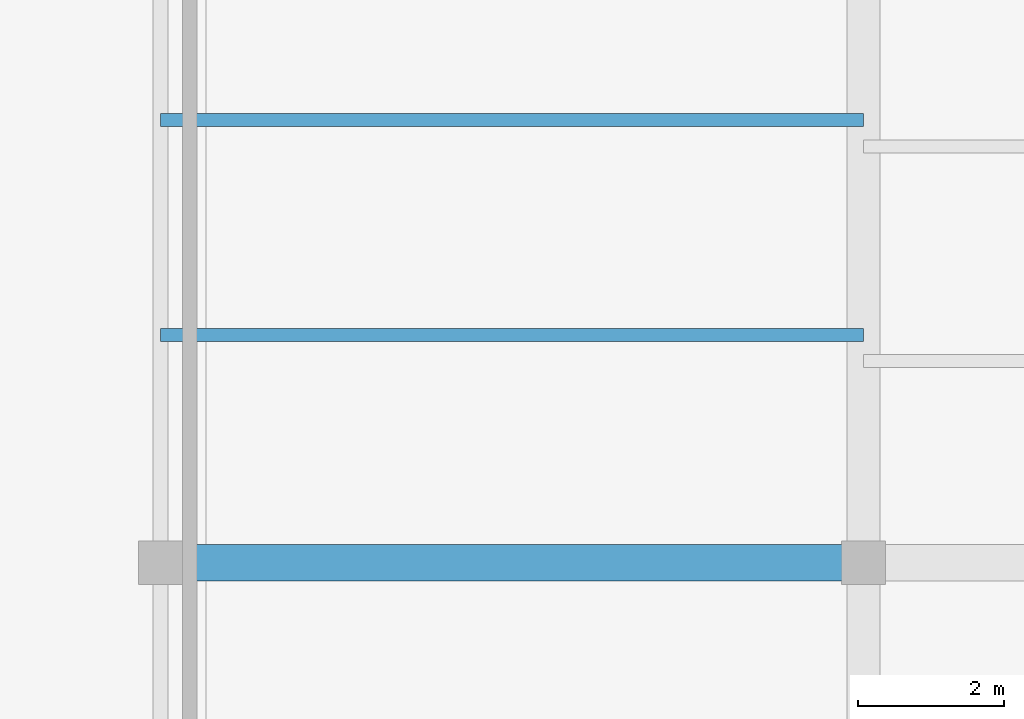
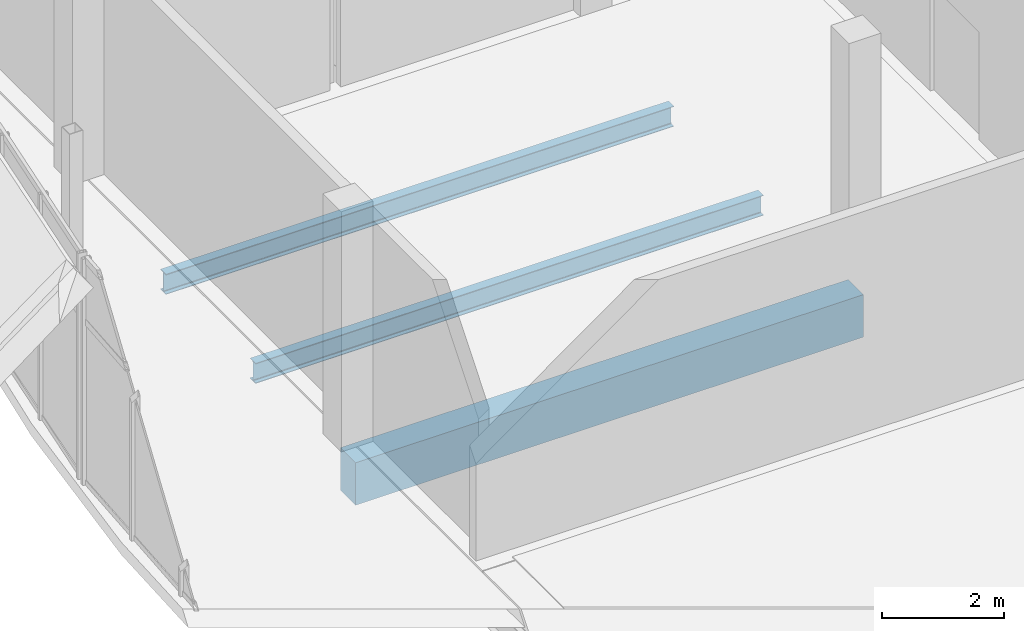
# One storey, part 27 of 116: 3 beams.
"""IFC4 building model written with IfcOpenShell, lengths in metres."""

from ifc_helpers import new_model, si_unit, direction, frame, origin, origin_2d, place, context, subcontext, project, spatial, rectangle, i_section, extrude, material, material_profile, profile_set, type_object, element, save


model = new_model("IFC4")

# Units and contexts
model_context = context("Model", 3, precision=1e-05, world=origin(), true_north=direction((0.0, 1.0)))
body_context = subcontext(model_context, "Body", "Model", "MODEL_VIEW")
ifc_project = project(units=[si_unit("LENGTHUNIT", "METRE"), si_unit("AREAUNIT", "SQUARE_METRE"), si_unit("VOLUMEUNIT", "CUBIC_METRE"), si_unit("PLANEANGLEUNIT", "RADIAN"), si_unit("MASSUNIT", "GRAM", prefix="KILO")], contexts=[model_context])

# Site, building, storey
site_placement = place(None, origin())
site = spatial("IfcSite", under=ifc_project, at=site_placement, CompositionType="ELEMENT")
building_placement = place(site_placement, origin())
building = spatial("IfcBuilding", under=site, at=building_placement, Name="Chalmorin Arch Market", CompositionType="ELEMENT")
storey_placement = place(building_placement, origin())
storey = spatial("IfcBuildingStorey", under=building, at=storey_placement, Name="L00", CompositionType="ELEMENT", Elevation=0.0)

# Beams
ifc_material_1 = material(Name="Concrete C40/50", Category="concrete")
ifc_material_profile_1 = material_profile(ifc_material_1, rectangle(XDim=0.5, YDim=0.85009765625, at=origin_2d()), Name="RC500X850")
ifc_profile_set_1 = profile_set([ifc_material_profile_1], Name="Concrete C40/50")
beam_type_1 = type_object("IfcBeamType", Name="PlinthConcreteGirder-500x850", PredefinedType="BEAM", material=ifc_profile_set_1)
beam_placement = place(storey_placement, frame((0.0, 32.39990234375, -0.777099609375), z_axis=(1.0, 0.0, 0.0), x_axis=(0.0, 1.0, 0.0)))
element("IfcBeam", 1, at=beam_placement, inside=storey, type_object=beam_type_1, Name="BG-RC1-0208", PredefinedType="BEAM", context=body_context, shape_type="SweptSolid", body=[
    extrude(rectangle(XDim=0.5, YDim=0.85009765625, at=origin_2d()), origin(), (0.0, 0.0, 1.0), 9.60009765625),
])
ifc_material_2 = material(Name="Steel A992 Grade 50", Category="steel")
ifc_material_profile_2 = material_profile(ifc_material_2, i_section(OverallWidth=0.177978515625, OverallDepth=0.403076171875, WebThickness=0.007568359375, FlangeThickness=0.010986328125, FilletRadius=0.01806640625, at=origin_2d()), Name="W16X36")
ifc_profile_set_2 = profile_set([ifc_material_profile_2], Name="Steel A992 Grade 50")
beam_type_2 = type_object("IfcBeamType", Name="SecondaryFloorJoist-W16X36", PredefinedType="JOIST", material=ifc_profile_set_2)
for number, where, z_axis, x_axis, name in (
    (2, (0.0, 35.51318359375, -0.553466796875), (1.0, 0.0, 0.0), (0.0, 1.0, 0.0), "BJ-W16B-0254"),
    (3, (0.0, 38.44677734375, -0.553466796875), (1.0, 0.0, 0.0), (0.0, 1.0, 0.0), "BJ-W16B-0255"),
):
    element("IfcBeam", number, at=place(storey_placement, frame(where, z_axis=z_axis, x_axis=x_axis)), inside=storey, type_object=beam_type_2, Name=name, PredefinedType="JOIST", context=body_context, shape_type="SweptSolid", body=[
        extrude(i_section(OverallWidth=0.177978515625, OverallDepth=0.403076171875, WebThickness=0.007568359375, FlangeThickness=0.010986328125, FilletRadius=0.01806640625, at=origin_2d()), origin(), (0.0, 0.0, 1.0), 9.60009765625),
    ])

save(model, "model.ifc")
